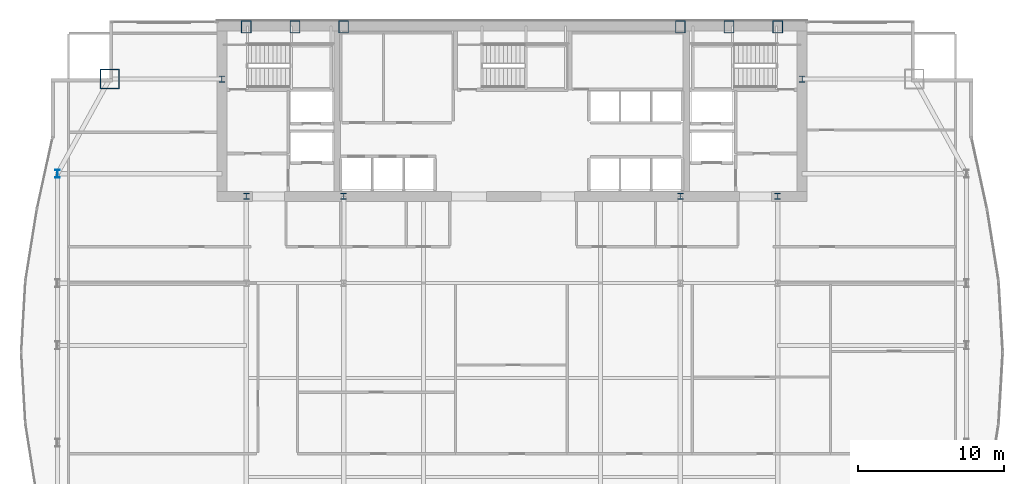
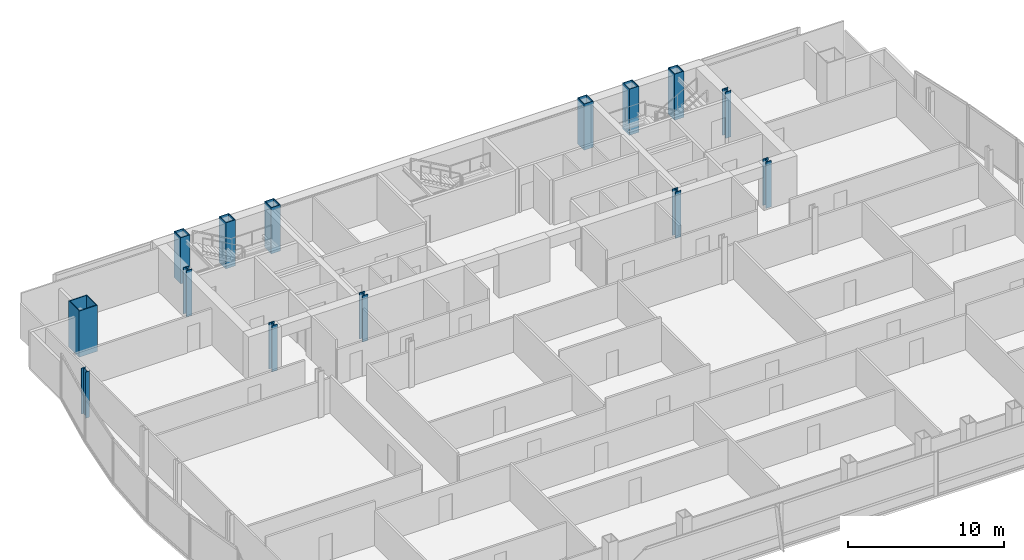
# One storey, part 3 of 29: 14 columns.
"""IFC4 building model written with IfcOpenShell, lengths in metres."""

from ifc_helpers import new_model, si_unit, direction, frame, origin, origin_2d, place, context, subcontext, project, spatial, hollow_rectangle, i_section, extrude, material, material_profile, profile_set, type_object, element, save


model = new_model("IFC4")

# Units and contexts
model_context = context("Model", 3, precision=1e-05, world=origin(), true_north=direction((0.0, 1.0)))
body_context = subcontext(model_context, "Body", "Model", "MODEL_VIEW")
ifc_project = project(units=[si_unit("LENGTHUNIT", "METRE"), si_unit("AREAUNIT", "SQUARE_METRE"), si_unit("VOLUMEUNIT", "CUBIC_METRE"), si_unit("PLANEANGLEUNIT", "RADIAN"), si_unit("MASSUNIT", "GRAM", prefix="KILO")], contexts=[model_context])

# Site, building, storey
site_placement = place(None, origin())
site = spatial("IfcSite", under=ifc_project, at=site_placement, CompositionType="ELEMENT")
building_placement = place(site_placement, origin())
building = spatial("IfcBuilding", under=site, at=building_placement, Name="Khoronbel Lancet Exchange", CompositionType="ELEMENT")
storey_placement = place(building_placement, frame((0.0, 0.0, 161.39990234375)))
storey = spatial("IfcBuildingStorey", under=building, at=storey_placement, Name="L40", CompositionType="ELEMENT", Elevation=161.39990234375)

# Columns
ifc_material_1 = material(Name="Steel S460", Category="steel")
ifc_material_profile_1 = material_profile(ifc_material_1, hollow_rectangle(XDim=0.699951171875, YDim=0.85009765625, WallThickness=0.050048828125, at=origin_2d()), Name="BOX 850x700x50")
ifc_profile_set_1 = profile_set([ifc_material_profile_1], Name="Steel S460")
column_type_1 = type_object("IfcColumnType", Name="COL-EC2", PredefinedType="COLUMN", material=ifc_profile_set_1)
for number, where, z_axis, x_axis, name in (
    (1, (18.22509765625, 53.280029296875, 0.0), (0.0, 0.0, 1.0), (1.0, 0.0, 0.0), "Structural column NC-W1 L40"),
    (2, (21.5625, 53.280029296875, 0.0), (0.0, 0.0, 1.0), (1.0, 0.0, 0.0), "Structural column NC-WM L40"),
    (3, (24.89990234375, 53.280029296875, 0.0), (0.0, 0.0, 1.0), (1.0, 0.0, 0.0), "Structural column NC-W2 L40"),
    (4, (48.0, 53.280029296875, 0.0), (0.0, 0.0, 1.0), (1.0, 0.0, 0.0), "Structural column NC-E1 L40"),
    (5, (51.33740234375, 53.280029296875, 0.0), (0.0, 0.0, 1.0), (1.0, 0.0, 0.0), "Structural column NC-EM L40"),
    (6, (54.675048828125, 53.280029296875, 0.0), (0.0, 0.0, 1.0), (1.0, 0.0, 0.0), "Structural column NC-E2 L40"),
):
    element("IfcColumn", number, at=place(storey_placement, frame(where, z_axis=z_axis, x_axis=x_axis)), inside=storey, type_object=column_type_1, Name=name, PredefinedType="COLUMN", context=body_context, shape_type="SweptSolid", body=[
        extrude(hollow_rectangle(XDim=0.699951171875, YDim=0.85009765625, WallThickness=0.050048828125, at=origin_2d()), origin(), (0.0, 0.0, 1.0), 3.60009765625),
    ])
ifc_material_profile_2 = material_profile(ifc_material_1, i_section(OverallWidth=0.416015625, OverallDepth=0.446044921875, WebThickness=0.0390625, FlangeThickness=0.062744140625, at=origin_2d()), Name="HD 400x509")
ifc_profile_set_2 = profile_set([ifc_material_profile_2], Name="Steel S460")
column_type_2 = type_object("IfcColumnType", Name="COL-IC2", PredefinedType="COLUMN", material=ifc_profile_set_2)
for number, where, z_axis, x_axis, name in (
    (7, (16.550048828125, 49.699951171875, 0.0), (0.0, 0.0, 1.0), (1.0, 0.0, 0.0), "Core-flank plumb transfer column CFW L40"),
    (8, (56.35009765625, 49.699951171875, 0.0), (0.0, 0.0, 1.0), (1.0, 0.0, 0.0), "Core-flank plumb transfer column CFE L40"),
    (9, (18.22509765625, 41.64990234375, 0.0), (0.0, 0.0, 1.0), (1.0, 0.0, 0.0), "Core-embedded steel column CTC1 L40"),
    (10, (24.89990234375, 41.64990234375, 0.0), (0.0, 0.0, 1.0), (1.0, 0.0, 0.0), "Core-embedded steel column CTC2 L40"),
    (11, (48.0, 41.64990234375, 0.0), (0.0, 0.0, 1.0), (1.0, 0.0, 0.0), "Core-embedded steel column CTC3 L40"),
    (12, (54.675048828125, 41.64990234375, 0.0), (0.0, 0.0, 1.0), (1.0, 0.0, 0.0), "Core-embedded steel column CTC4 L40"),
):
    element("IfcColumn", number, at=place(storey_placement, frame(where, z_axis=z_axis, x_axis=x_axis)), inside=storey, type_object=column_type_2, Name=name, PredefinedType="COLUMN", context=body_context, shape_type="SweptSolid", body=[
        extrude(i_section(OverallWidth=0.416015625, OverallDepth=0.446044921875, WebThickness=0.0390625, FlangeThickness=0.062744140625, at=origin_2d()), origin(), (0.0, 0.0, 1.0), 3.60009765625),
    ])
ifc_material_2 = material(Name="Steel S355", Category="steel")
ifc_material_profile_3 = material_profile(ifc_material_2, i_section(OverallWidth=0.300048828125, OverallDepth=0.550048828125, WebThickness=0.014892578125, FlangeThickness=0.029052734375, at=origin_2d()), Name="HEB 550")
ifc_profile_set_3 = profile_set([ifc_material_profile_3], Name="Steel S355")
column_type_3 = type_object("IfcColumnType", Name="COL-LC1", PredefinedType="COLUMN", material=ifc_profile_set_3)
column_1_placement = place(storey_placement, frame((5.27001953125, 43.199951171875, 0.0), z_axis=(0.0, 0.0, 1.0), x_axis=(1.0, 0.0, 0.0)))
element("IfcColumn", 13, at=column_1_placement, inside=storey, type_object=column_type_3, Name="Structural column WC-4 L40", PredefinedType="COLUMN", context=body_context, shape_type="SweptSolid", body=[
    extrude(i_section(OverallWidth=0.300048828125, OverallDepth=0.550048828125, WebThickness=0.014892578125, FlangeThickness=0.029052734375, at=origin_2d()), origin(), (0.0, 0.0, 1.0), 3.60009765625),
])
ifc_material_profile_4 = material_profile(ifc_material_1, hollow_rectangle(XDim=1.35009765625, YDim=1.35009765625, WallThickness=0.06494140625, at=origin_2d()), Name="BOX 1350x1350x65")
ifc_profile_set_4 = profile_set([ifc_material_profile_4], Name="Steel S460")
column_type_4 = type_object("IfcColumnType", Name="COL-MC4", PredefinedType="COLUMN", material=ifc_profile_set_4)
column_2_placement = place(storey_placement, frame((8.85009765625, 49.699951171875, 0.0), z_axis=(0.0, 0.0, 1.0), x_axis=(1.0, 0.0, 0.0)))
element("IfcColumn", 14, at=column_2_placement, inside=storey, type_object=column_type_4, Name="Structural column MC-NW L40", PredefinedType="COLUMN", context=body_context, shape_type="SweptSolid", body=[
    extrude(hollow_rectangle(XDim=1.35009765625, YDim=1.35009765625, WallThickness=0.06494140625, at=origin_2d()), origin(), (0.0, 0.0, 1.0), 3.60009765625),
])

save(model, "model.ifc")
